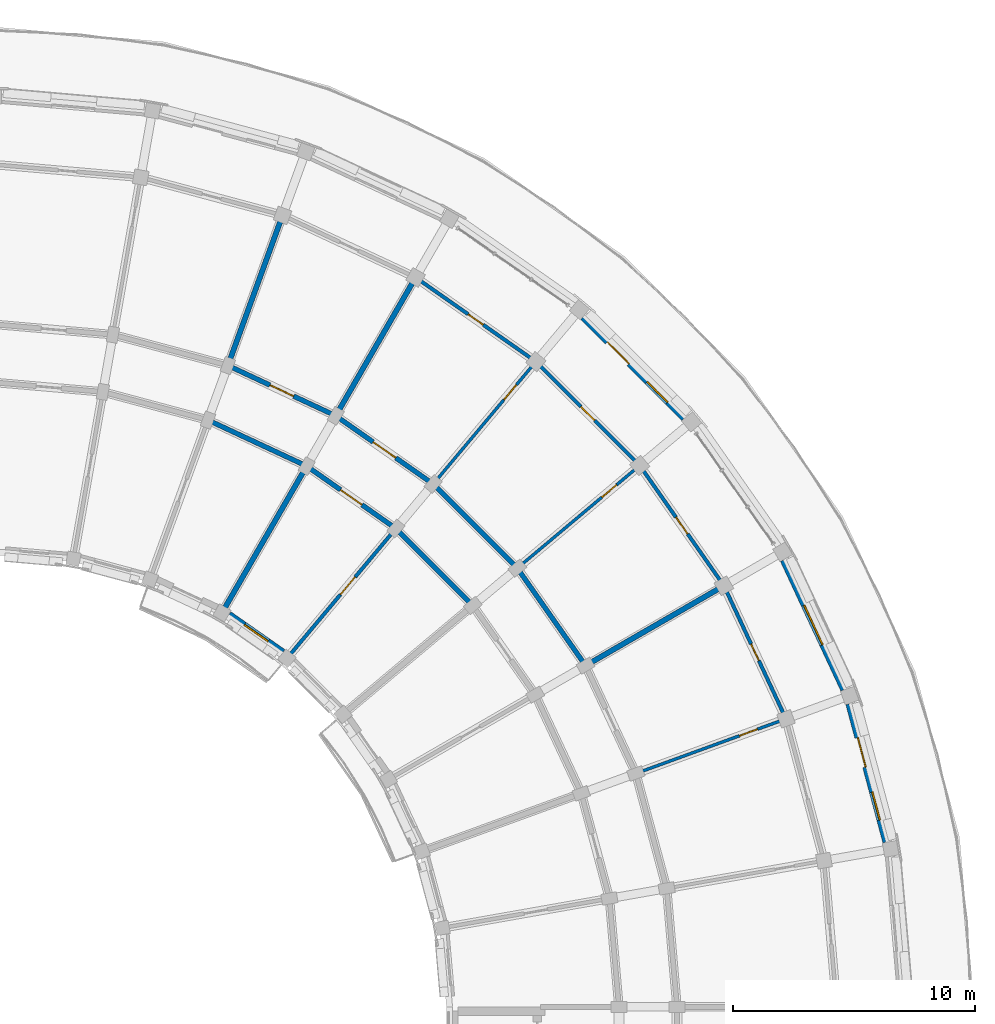
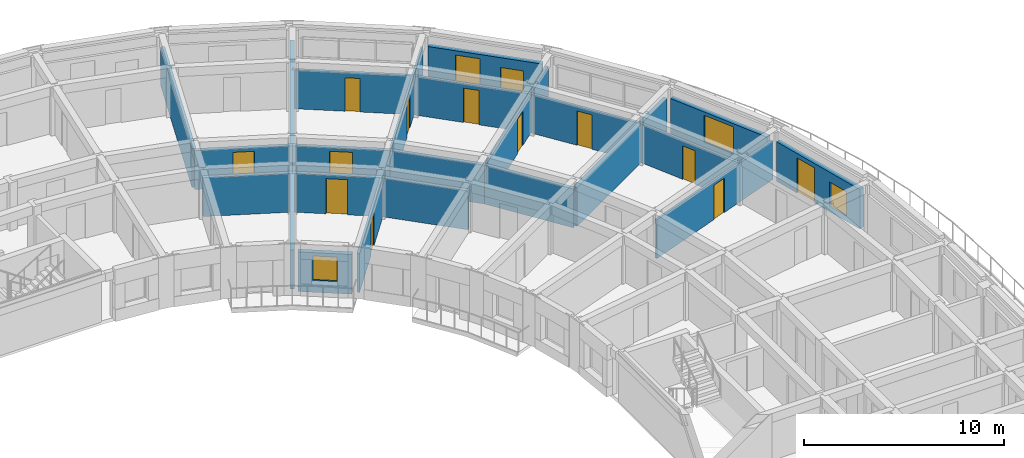
# One storey, part 23 of 36: 23 walls, 13 doors, 4 windows, 17 openings.
"""IFC4 building model written with IfcOpenShell, lengths in metres."""

from ifc_helpers import new_model, si_unit, direction, frame, frame_2d, origin, place, context, subcontext, project, spatial, rectangle, extrude, material, layer, layer_set, type_object, element, fill, save


model = new_model("IFC4")

# Units and contexts
model_context = context("Model", 3, precision=1e-05, world=origin(), true_north=direction((0.0, 1.0)))
body_context = subcontext(model_context, "Body", "Model", "MODEL_VIEW")
ifc_project = project(units=[si_unit("LENGTHUNIT", "METRE"), si_unit("AREAUNIT", "SQUARE_METRE"), si_unit("VOLUMEUNIT", "CUBIC_METRE"), si_unit("PLANEANGLEUNIT", "RADIAN"), si_unit("MASSUNIT", "GRAM", prefix="KILO")], contexts=[model_context])

# Site, building, storey
site_placement = place(None, origin())
site = spatial("IfcSite", under=ifc_project, at=site_placement, CompositionType="ELEMENT")
building_placement = place(site_placement, origin())
building = spatial("IfcBuilding", under=site, at=building_placement, Name="Kiranvali Square Residences", CompositionType="ELEMENT")
storey_placement = place(building_placement, frame((0.0, 0.0, 37.050048828125)))
storey = spatial("IfcBuildingStorey", under=building, at=storey_placement, Name="L11", CompositionType="ELEMENT", Elevation=37.050048828125)

# Wall
ifc_material_1 = material(Name="Autoclaved aerated concrete blockwork masonry", Category="masonry")
ifc_layer_1 = layer(ifc_material_1, 0.199951171875)
ifc_layer_set_1 = layer_set([ifc_layer_1], Name="Autoclaved aerated concrete blockwork masonry")
wall_type_1 = type_object("IfcWallType", Name="WL-COR-200", PredefinedType="STANDARD", material=ifc_layer_set_1)
wall_1_placement = place(storey_placement, frame((128.6240234375, 112.044189453125, 0.0), z_axis=(0.0, 0.0, 1.0), x_axis=(0.906307919131, -0.422617978463, 0.0)))
element("IfcWall", 1, at=wall_1_placement, inside=storey, type_object=wall_type_1, Name="L11 architectural wall WL-L11-B-CCI-2", PredefinedType="STANDARD", context=body_context, shape_type="SweptSolid", body=[
    extrude(rectangle(XDim=4.497314453125, YDim=0.199951171875, at=frame_2d((2.24853515625, 0.0))), origin(), (0.0, 0.0, 1.0), 2.3720703125),
])

# Wall, opening, door
wall_2_placement = place(storey_placement, frame((129.445068359375, 114.29931640625, 0.0), z_axis=(0.0, 0.0, 1.0), x_axis=(0.906302381024, -0.422629854778, 0.0)))
wall_2 = element("IfcWall", 2, at=wall_2_placement, inside=storey, type_object=wall_type_1, Name="L11 architectural wall WL-L11-B-CCO-2", PredefinedType="STANDARD", context=body_context, shape_type="SweptSolid", body=[
    extrude(rectangle(XDim=4.915283203125, YDim=0.199951171875, at=frame_2d((2.45751953125, 0.0))), origin(), (0.0, 0.0, 1.0), 2.3720703125),
])
opening_1_placement = place(wall_2_placement, frame((1.917724609375, 0.0, 0.0)))
opening_1 = element("IfcOpeningElement", 3, at=opening_1_placement, cuts=wall_2, Name="Opening FD-APT-60C", PredefinedType="OPENING", context=body_context, shape_type="SweptSolid", body=[
    extrude(rectangle(XDim=1.080078125, YDim=2.14990234375, at=frame_2d((0.5400390625, 1.074951171875))), frame((0.0, 0.10986328125, 0.0), z_axis=(0.0, -1.0, 0.0), x_axis=(1.0, 0.0, 0.0)), (0.0, 0.0, 1.0), 0.219970703125),
])
ifc_material_2 = material(Name="Fire-rated acoustic hardwood and mineral-core door assembly", Category="wood")
door_type_1 = type_object("IfcDoorType", Name="DR-APT-1080", OperationType="NOTDEFINED", PredefinedType="DOOR", material=ifc_material_2)
door_1_placement = place(opening_1_placement, frame((1.080078125, 0.0, 0.0), z_axis=(0.0, 0.0, 1.0), x_axis=(-1.0, 0.0, 0.0)))
door_1 = element("IfcDoor", 4, at=door_1_placement, inside=storey, type_object=door_type_1, Name="L11 door DR-L11-1670 (DR-APT-1080)", OperationType="SINGLE_SWING_RIGHT", OverallHeight=2.14990234375, OverallWidth=1.080078125, PredefinedType="DOOR", context=body_context, shape_type="SweptSolid", body=[
    extrude(rectangle(XDim=1.080078125, YDim=2.14990234375, at=frame_2d((0.5400390625, 1.074951171875))), frame((0.0, 0.02490234375, 0.0), z_axis=(0.0, -1.0, 0.0), x_axis=(1.0, 0.0, 0.0)), (0.0, 0.0, 1.0), 0.050048828125),
])
fill(opening_1, door_1)

wall_3_placement = place(storey_placement, frame((132.699951171875, 110.1435546875, 0.0), z_axis=(0.0, 0.0, 1.0), x_axis=(0.819155404658, -0.573571637217, 0.0)))
wall_3 = element("IfcWall", 5, at=wall_3_placement, inside=storey, type_object=wall_type_1, Name="L11 architectural wall WL-L11-B-CCI-3", PredefinedType="STANDARD", context=body_context, shape_type="SweptSolid", body=[
    extrude(rectangle(XDim=4.497314453125, YDim=0.199951171875, at=frame_2d((2.24853515625, 0.0))), origin(), (0.0, 0.0, 1.0), 2.3720703125),
])
opening_2_placement = place(wall_3_placement, frame((1.708740234375, 0.0, 0.0)))
opening_2 = element("IfcOpeningElement", 6, at=opening_2_placement, cuts=wall_3, Name="Opening FD-APT-60C", PredefinedType="OPENING", context=body_context, shape_type="SweptSolid", body=[
    extrude(rectangle(XDim=1.080078125, YDim=2.14990234375, at=frame_2d((0.5400390625, 1.074951171875))), frame((0.0, 0.10986328125, 0.0), z_axis=(0.0, -1.0, 0.0), x_axis=(1.0, 0.0, 0.0)), (0.0, 0.0, 1.0), 0.219970703125),
])
door_2_placement = place(opening_2_placement, origin())
door_2 = element("IfcDoor", 7, at=door_2_placement, inside=storey, type_object=door_type_1, Name="L11 door DR-L11-1681 (DR-APT-1080)", OperationType="SINGLE_SWING_LEFT", OverallHeight=2.14990234375, OverallWidth=1.080078125, PredefinedType="DOOR", context=body_context, shape_type="SweptSolid", body=[
    extrude(rectangle(XDim=1.080078125, YDim=2.14990234375, at=frame_2d((0.5400390625, 1.074951171875))), frame((0.0, 0.02490234375, 0.0), z_axis=(0.0, -1.0, 0.0), x_axis=(1.0, 0.0, 0.0)), (0.0, 0.0, 1.0), 0.050048828125),
])
fill(opening_2, door_2)

wall_4_placement = place(storey_placement, frame((133.89990234375, 112.221923828125, 0.0), z_axis=(0.0, 0.0, 1.0), x_axis=(0.819140911474, -0.573592335331, 0.0)))
wall_4 = element("IfcWall", 8, at=wall_4_placement, inside=storey, type_object=wall_type_1, Name="L11 architectural wall WL-L11-B-CCO-3", PredefinedType="STANDARD", context=body_context, shape_type="SweptSolid", body=[
    extrude(rectangle(XDim=4.915771484375, YDim=0.199951171875, at=frame_2d((2.4580078125, 0.0))), origin(), (0.0, 0.0, 1.0), 2.3720703125),
])
opening_3_placement = place(wall_4_placement, frame((1.8876953125, 0.0, 0.0)))
opening_3 = element("IfcOpeningElement", 9, at=opening_3_placement, cuts=wall_4, Name="Opening FD-APT-60D", PredefinedType="OPENING", context=body_context, shape_type="SweptSolid", body=[
    extrude(rectangle(XDim=1.139892578125, YDim=2.14990234375, at=frame_2d((0.56982421875, 1.074951171875))), frame((0.0, 0.10986328125, 0.0), z_axis=(0.0, -1.0, 0.0), x_axis=(1.0, 0.0, 0.0)), (0.0, 0.0, 1.0), 0.219970703125),
])
door_type_2 = type_object("IfcDoorType", Name="DR-APT-1140", OperationType="NOTDEFINED", PredefinedType="DOOR", material=ifc_material_2)
door_3_placement = place(opening_3_placement, frame((1.139892578125, 0.0, 0.0), z_axis=(0.0, 0.0, 1.0), x_axis=(-1.0, 0.0, 0.0)))
door_3 = element("IfcDoor", 10, at=door_3_placement, inside=storey, type_object=door_type_2, Name="L11 door DR-L11-1672 (DR-APT-1140)", OperationType="SINGLE_SWING_RIGHT", OverallHeight=2.14990234375, OverallWidth=1.139892578125, PredefinedType="DOOR", context=body_context, shape_type="SweptSolid", body=[
    extrude(rectangle(XDim=1.139892578125, YDim=2.14990234375, at=frame_2d((0.56982421875, 1.074951171875))), frame((0.0, 0.02490234375, 0.0), z_axis=(0.0, -1.0, 0.0), x_axis=(1.0, 0.0, 0.0)), (0.0, 0.0, 1.0), 0.050048828125),
])
fill(opening_3, door_3)

# Walls
wall_5_placement = place(storey_placement, frame((136.384033203125, 107.56396484375, 0.0), z_axis=(0.0, 0.0, 1.0), x_axis=(0.707106781187, -0.707106781187, 0.0)))
element("IfcWall", 11, at=wall_5_placement, inside=storey, type_object=wall_type_1, Name="L11 architectural wall WL-L11-B-CCI-4", PredefinedType="STANDARD", context=body_context, shape_type="SweptSolid", body=[
    extrude(rectangle(XDim=4.4970703125, YDim=0.199951171875, at=frame_2d((2.24853515625, 0.0))), origin(), (0.0, 0.0, 1.0), 2.3720703125),
])
wall_6_placement = place(storey_placement, frame((137.926513671875, 109.40234375, 0.0), z_axis=(0.0, 0.0, 1.0), x_axis=(0.707106781187, -0.707106781187, 0.0)))
element("IfcWall", 12, at=wall_6_placement, inside=storey, type_object=wall_type_1, Name="L11 architectural wall WL-L11-B-CCO-4", PredefinedType="STANDARD", context=body_context, shape_type="SweptSolid", body=[
    extrude(rectangle(XDim=4.91552734375, YDim=0.199951171875, at=frame_2d((2.457763671875, 0.0))), origin(), (0.0, 0.0, 1.0), 2.3720703125),
])
wall_7_placement = place(storey_placement, frame((141.40234375, 105.926513671875, 0.0), z_axis=(0.0, 0.0, 1.0), x_axis=(0.573592335331, -0.819140911474, 0.0)))
element("IfcWall", 13, at=wall_7_placement, inside=storey, type_object=wall_type_1, Name="L11 architectural wall WL-L11-B-CCO-5", PredefinedType="STANDARD", context=body_context, shape_type="SweptSolid", body=[
    extrude(rectangle(XDim=4.915771484375, YDim=0.199951171875, at=frame_2d((2.4580078125, 0.0))), origin(), (0.0, 0.0, 1.0), 2.3720703125),
])
ifc_layer_2 = layer(ifc_material_1, 0.219970703125)
ifc_layer_set_2 = layer_set([ifc_layer_2], Name="Autoclaved aerated concrete blockwork masonry")
wall_type_2 = type_object("IfcWallType", Name="WL-DEM-220", PredefinedType="STANDARD", material=ifc_layer_set_2)
wall_8_placement = place(storey_placement, frame((129.479248046875, 114.393310546875, 0.0), z_axis=(0.0, 0.0, 1.0), x_axis=(0.342012528828, 0.939695392201, 0.0)))
element("IfcWall", 14, at=wall_8_placement, inside=storey, type_object=wall_type_2, Name="L11 architectural wall WL-L11-B-RADO-2", PredefinedType="STANDARD", context=body_context, shape_type="SweptSolid", body=[
    extrude(rectangle(XDim=9.02001953125, YDim=0.219970703125, at=frame_2d((4.510009765625, 0.0))), origin(), (0.0, 0.0, 1.0), 2.3720703125),
])
wall_9_placement = place(storey_placement, frame((129.300048828125, 104.25439453125, 0.0), z_axis=(0.0, 0.0, 1.0), x_axis=(0.499997969693, 0.866026575979, 0.0)))
element("IfcWall", 15, at=wall_9_placement, inside=storey, type_object=wall_type_2, Name="L11 architectural wall WL-L11-B-RADI-3", PredefinedType="STANDARD", context=body_context, shape_type="SweptSolid", body=[
    extrude(rectangle(XDim=6.75, YDim=0.219970703125, at=frame_2d((3.375, 0.0))), origin(), (0.0, 0.0, 1.0), 2.3720703125),
])
for number, where, z_axis, x_axis, name in (
    (16, (133.949951171875, 112.30859375, 0.0), (0.0, 0.0, 1.0), (0.500002045973, 0.866024222538, 0.0), "L11 architectural wall WL-L11-B-RADO-3"),
    (17, (144.30859375, 101.949951171875, 0.0), (0.0, 0.0, 1.0), (0.866024222538, 0.500002045973, 0.0), "L11 architectural wall WL-L11-B-RADO-6"),
):
    element("IfcWall", number, at=place(storey_placement, frame(where, z_axis=z_axis, x_axis=x_axis)), inside=storey, type_object=wall_type_2, Name=name, PredefinedType="STANDARD", context=body_context, shape_type="SweptSolid", body=[
        extrude(rectangle(XDim=9.02001953125, YDim=0.219970703125, at=frame_2d((4.510009765625, 0.0))), origin(), (0.0, 0.0, 1.0), 2.3720703125),
    ])

# Wall, openings, door, window
ifc_material_3 = material(Name="Breathable lime-rendered clay brick masonry", Category="masonry")
ifc_layer_3 = layer(ifc_material_3, 0.25)
ifc_layer_set_3 = layer_set([ifc_layer_3], Name="Breathable lime-rendered clay brick masonry")
wall_type_3 = type_object("IfcWallType", Name="WL-EXT-250", PredefinedType="STANDARD", material=ifc_layer_set_3)
wall_10_placement = place(storey_placement, frame((144.110595703125, 116.28466796875, 0.0), z_axis=(0.0, 0.0, 1.0), x_axis=(0.707106781187, -0.707106781187, 0.0)))
wall_10 = element("IfcWall", 18, at=wall_10_placement, inside=storey, type_object=wall_type_3, Name="L11 exterior wall B-L11-CRV-04", PredefinedType="STANDARD", context=body_context, shape_type="SweptSolid", body=[
    extrude(rectangle(XDim=5.903076171875, YDim=0.25, at=frame_2d((2.95166015625, 0.0))), origin(), (0.0, 0.0, 1.0), 2.411865234375),
])
opening_4_placement = place(wall_10_placement, frame((3.75634765625, 0.0, 0.31201171875)))
opening_4 = element("IfcOpeningElement", 19, at=opening_4_placement, cuts=wall_10, Name="Opening W-06", PredefinedType="OPENING", context=body_context, shape_type="SweptSolid", body=[
    extrude(rectangle(XDim=1.199951171875, YDim=1.5, at=frame_2d((0.60009765625, 0.75))), frame((0.0, 0.135009765625, 0.0), z_axis=(0.0, -1.0, 0.0), x_axis=(1.0, 0.0, 0.0)), (0.0, 0.0, 1.0), 0.27001953125),
])
opening_5_placement = place(wall_10_placement, frame((1.43603515625, 0.0, 0.0)))
opening_5 = element("IfcOpeningElement", 20, at=opening_5_placement, cuts=wall_10, Name="Opening ED-BAL-2", PredefinedType="OPENING", context=body_context, shape_type="SweptSolid", body=[
    extrude(rectangle(XDim=1.260009765625, YDim=2.14990234375, at=frame_2d((0.6298828125, 1.074951171875))), frame((0.0, 0.135009765625, 0.0), z_axis=(0.0, -1.0, 0.0), x_axis=(1.0, 0.0, 0.0)), (0.0, 0.0, 1.0), 0.27001953125),
])
ifc_material_4 = material(Name="Anodised bronze aluminium framing", Category="aluminium")
door_type_3 = type_object("IfcDoorType", Name="DR-BAL-1260", OperationType="NOTDEFINED", PredefinedType="DOOR", material=ifc_material_4)
door_4_placement = place(opening_5_placement, origin())
door_4 = element("IfcDoor", 21, at=door_4_placement, inside=storey, type_object=door_type_3, Name="L11 balcony terrace door", OperationType="SINGLE_SWING_RIGHT", OverallHeight=2.14990234375, OverallWidth=1.260009765625, PredefinedType="DOOR", context=body_context, shape_type="SweptSolid", body=[
    extrude(rectangle(XDim=1.260009765625, YDim=2.14990234375, at=frame_2d((0.6298828125, 1.074951171875))), frame((0.0, 0.02490234375, 0.0), z_axis=(0.0, -1.0, 0.0), x_axis=(1.0, 0.0, 0.0)), (0.0, 0.0, 1.0), 0.050048828125),
])
fill(opening_5, door_4)
ifc_material_5 = material(Name="Solar-control low-e double glazing", Category="glass")
window_type_1 = type_object("IfcWindowType", Name="WIN-RES-1200x1500", PartitioningType="SINGLE_PANEL", PredefinedType="WINDOW", material=ifc_material_5)
window_1_placement = place(opening_4_placement, origin())
window_1 = element("IfcWindow", 22, at=window_1_placement, inside=storey, type_object=window_type_1, Name="L11 recessed window B-L11-CRV-04", OverallHeight=1.5, OverallWidth=1.199951171875, PartitioningType="SINGLE_PANEL", PredefinedType="WINDOW", context=body_context, shape_type="SweptSolid", body=[
    extrude(rectangle(XDim=1.199951171875, YDim=1.5, at=frame_2d((0.60009765625, 0.75))), frame((0.0, 0.030029296875, 0.0), z_axis=(0.0, -1.0, 0.0), x_axis=(1.0, 0.0, 0.0)), (0.0, 0.0, 1.0), 0.06005859375),
])
fill(opening_4, window_1)

# Wall, opening, window
wall_11_placement = place(storey_placement, frame((152.386962890625, 106.251953125, 0.0), z_axis=(0.0, 0.0, 1.0), x_axis=(0.422627318927, -0.906303563546, 0.0)))
wall_11 = element("IfcWall", 23, at=wall_11_placement, inside=storey, type_object=wall_type_3, Name="L11 exterior wall B-L11-CRV-06", PredefinedType="STANDARD", context=body_context, shape_type="SweptSolid", body=[
    extrude(rectangle(XDim=5.902587890625, YDim=0.25, at=frame_2d((2.951171875, 0.0))), origin(), (0.0, 0.0, 1.0), 2.411865234375),
])
opening_6_placement = place(wall_11_placement, frame((2.051513671875, 0.0, 0.56201171875)))
opening_6 = element("IfcOpeningElement", 24, at=opening_6_placement, cuts=wall_11, Name="Opening W-04", PredefinedType="OPENING", context=body_context, shape_type="SweptSolid", body=[
    extrude(rectangle(XDim=1.800048828125, YDim=1.64990234375, at=frame_2d((0.89990234375, 0.824951171875))), frame((0.0, 0.135009765625, 0.0), z_axis=(0.0, -1.0, 0.0), x_axis=(1.0, 0.0, 0.0)), (0.0, 0.0, 1.0), 0.27001953125),
])
window_type_2 = type_object("IfcWindowType", Name="WIN-RES-1800x1650", PartitioningType="DOUBLE_PANEL_VERTICAL", PredefinedType="WINDOW", material=ifc_material_5)
window_2_placement = place(opening_6_placement, origin())
window_2 = element("IfcWindow", 25, at=window_2_placement, inside=storey, type_object=window_type_2, Name="L11 recessed window B-L11-CRV-06", OverallHeight=1.64990234375, OverallWidth=1.800048828125, PartitioningType="DOUBLE_PANEL_VERTICAL", PredefinedType="WINDOW", context=body_context, shape_type="SweptSolid", body=[
    extrude(rectangle(XDim=1.800048828125, YDim=1.64990234375, at=frame_2d((0.89990234375, 0.824951171875))), frame((0.0, 0.030029296875, 0.0), z_axis=(0.0, -1.0, 0.0), x_axis=(1.0, 0.0, 0.0)), (0.0, 0.0, 1.0), 0.06005859375),
])
fill(opening_6, window_2)

# Wall, openings, door, window
wall_12_placement = place(storey_placement, frame((155.095947265625, 100.31298828125, 0.0), z_axis=(0.0, 0.0, 1.0), x_axis=(0.258831183778, -0.965922573659, 0.0)))
wall_12 = element("IfcWall", 26, at=wall_12_placement, inside=storey, type_object=wall_type_3, Name="L11 exterior wall B-L11-CRV-07", PredefinedType="STANDARD", context=body_context, shape_type="SweptSolid", body=[
    extrude(rectangle(XDim=5.90283203125, YDim=0.25, at=frame_2d((2.951416015625, 0.0))), origin(), (0.0, 0.0, 1.0), 2.411865234375),
])
opening_7_placement = place(wall_12_placement, frame((3.75634765625, 0.0, 0.31201171875)))
opening_7 = element("IfcOpeningElement", 27, at=opening_7_placement, cuts=wall_12, Name="Opening W-06", PredefinedType="OPENING", context=body_context, shape_type="SweptSolid", body=[
    extrude(rectangle(XDim=1.199951171875, YDim=1.5, at=frame_2d((0.60009765625, 0.75))), frame((0.0, 0.135009765625, 0.0), z_axis=(0.0, -1.0, 0.0), x_axis=(1.0, 0.0, 0.0)), (0.0, 0.0, 1.0), 0.27001953125),
])
opening_8_placement = place(wall_12_placement, frame((1.43603515625, 0.0, 0.0)))
opening_8 = element("IfcOpeningElement", 28, at=opening_8_placement, cuts=wall_12, Name="Opening ED-BAL-2", PredefinedType="OPENING", context=body_context, shape_type="SweptSolid", body=[
    extrude(rectangle(XDim=1.260009765625, YDim=2.14990234375, at=frame_2d((0.6298828125, 1.074951171875))), frame((0.0, 0.135009765625, 0.0), z_axis=(0.0, -1.0, 0.0), x_axis=(1.0, 0.0, 0.0)), (0.0, 0.0, 1.0), 0.27001953125),
])
door_5_placement = place(opening_8_placement, origin())
door_5 = element("IfcDoor", 29, at=door_5_placement, inside=storey, type_object=door_type_3, Name="L11 balcony terrace door", OperationType="SINGLE_SWING_LEFT", OverallHeight=2.14990234375, OverallWidth=1.260009765625, PredefinedType="DOOR", context=body_context, shape_type="SweptSolid", body=[
    extrude(rectangle(XDim=1.260009765625, YDim=2.14990234375, at=frame_2d((0.6298828125, 1.074951171875))), frame((0.0, 0.02490234375, 0.0), z_axis=(0.0, -1.0, 0.0), x_axis=(1.0, 0.0, 0.0)), (0.0, 0.0, 1.0), 0.050048828125),
])
fill(opening_8, door_5)
window_3_placement = place(opening_7_placement, origin())
window_3 = element("IfcWindow", 30, at=window_3_placement, inside=storey, type_object=window_type_1, Name="L11 recessed window B-L11-CRV-07", OverallHeight=1.5, OverallWidth=1.199951171875, PartitioningType="SINGLE_PANEL", PredefinedType="WINDOW", context=body_context, shape_type="SweptSolid", body=[
    extrude(rectangle(XDim=1.199951171875, YDim=1.5, at=frame_2d((0.60009765625, 0.75))), frame((0.0, 0.030029296875, 0.0), z_axis=(0.0, -1.0, 0.0), x_axis=(1.0, 0.0, 0.0)), (0.0, 0.0, 1.0), 0.06005859375),
])
fill(opening_7, window_3)

# Wall, opening, window
wall_13_placement = place(storey_placement, frame((129.5, 104.02392578125, 0.0), z_axis=(0.0, 0.0, 1.0), x_axis=(0.819126475299, -0.573612950921, 0.0)))
wall_13 = element("IfcWall", 31, at=wall_13_placement, inside=storey, type_object=wall_type_3, Name="L11 exterior wall B-L11-GDN-03", PredefinedType="STANDARD", context=body_context, shape_type="SweptSolid", body=[
    extrude(rectangle(XDim=2.7197265625, YDim=0.25, at=frame_2d((1.35986328125, 0.0))), origin(), (0.0, 0.0, 1.0), 2.421875),
])
opening_9_placement = place(wall_13_placement, frame((0.759765625, 0.0, 0.721923828125)))
opening_9 = element("IfcOpeningElement", 32, at=opening_9_placement, cuts=wall_13, Name="Opening W-06", PredefinedType="OPENING", context=body_context, shape_type="SweptSolid", body=[
    extrude(rectangle(XDim=1.199951171875, YDim=1.5, at=frame_2d((0.60009765625, 0.75))), frame((0.0, 0.135009765625, 0.0), z_axis=(0.0, -1.0, 0.0), x_axis=(1.0, 0.0, 0.0)), (0.0, 0.0, 1.0), 0.27001953125),
])
window_4_placement = place(opening_9_placement, origin())
window_4 = element("IfcWindow", 33, at=window_4_placement, inside=storey, type_object=window_type_1, Name="L11 recessed window B-L11-GDN-03", OverallHeight=1.5, OverallWidth=1.199951171875, PartitioningType="SINGLE_PANEL", PredefinedType="WINDOW", context=body_context, shape_type="SweptSolid", body=[
    extrude(rectangle(XDim=1.199951171875, YDim=1.5, at=frame_2d((0.60009765625, 0.75))), frame((0.0, 0.030029296875, 0.0), z_axis=(0.0, -1.0, 0.0), x_axis=(1.0, 0.0, 0.0)), (0.0, 0.0, 1.0), 0.06005859375),
])
fill(opening_9, window_4)

# Wall, opening, door
ifc_material_6 = material(Name="Acoustic gypsum board drylined partition", Category="gypsum")
ifc_layer_4 = layer(ifc_material_6, 0.125)
ifc_layer_set_4 = layer_set([ifc_layer_4], Name="Acoustic gypsum board drylined partition")
wall_type_4 = type_object("IfcWallType", Name="WL-PRT-125", PredefinedType="PARTITIONING", material=ifc_layer_set_4)
wall_14_placement = place(storey_placement, frame((137.990966796875, 109.47900390625, 0.0), z_axis=(0.0, 0.0, 1.0), x_axis=(0.642784468535, 0.766047078847, 0.0)))
wall_14 = element("IfcWall", 34, at=wall_14_placement, inside=storey, type_object=wall_type_4, Name="L11 architectural wall WL-L11-B-RADO-4", PredefinedType="PARTITIONING", context=body_context, shape_type="SweptSolid", body=[
    extrude(rectangle(XDim=9.02001953125, YDim=0.125, at=frame_2d((4.510009765625, 0.0))), origin(), (0.0, 0.0, 1.0), 2.3720703125),
])
opening_10_placement = place(wall_14_placement, frame((4.449951171875, 0.0, 0.0)))
opening_10 = element("IfcOpeningElement", 35, at=opening_10_placement, cuts=wall_14, Name="Opening ID-WET", PredefinedType="OPENING", context=body_context, shape_type="SweptSolid", body=[
    extrude(rectangle(XDim=0.800048828125, YDim=2.10009765625, at=frame_2d((0.39990234375, 1.050048828125))), frame((0.0, 0.072509765625, 0.0), z_axis=(0.0, -1.0, 0.0), x_axis=(1.0, 0.0, 0.0)), (0.0, 0.0, 1.0), 0.14501953125),
])
ifc_material_7 = material(Name="Solid seasoned teak hardwood joinery", Category="wood")
door_type_4 = type_object("IfcDoorType", Name="DR-WET-800", OperationType="NOTDEFINED", PredefinedType="DOOR", material=ifc_material_7)
door_6_placement = place(opening_10_placement, origin())
door_6 = element("IfcDoor", 36, at=door_6_placement, inside=storey, type_object=door_type_4, Name="L11 door DR-L11-1661 (DR-WET-800)", OperationType="SINGLE_SWING_LEFT", OverallHeight=2.10009765625, OverallWidth=0.800048828125, PredefinedType="DOOR", context=body_context, shape_type="SweptSolid", body=[
    extrude(rectangle(XDim=0.800048828125, YDim=2.10009765625, at=frame_2d((0.39990234375, 1.050048828125))), frame((0.0, 0.02490234375, 0.0), z_axis=(0.0, -1.0, 0.0), x_axis=(1.0, 0.0, 0.0)), (0.0, 0.0, 1.0), 0.050048828125),
])
fill(opening_10, door_6)

wall_15_placement = place(storey_placement, frame((141.47900390625, 105.990966796875, 0.0), z_axis=(0.0, 0.0, 1.0), x_axis=(0.766047078847, 0.642784468535, 0.0)))
wall_15 = element("IfcWall", 37, at=wall_15_placement, inside=storey, type_object=wall_type_4, Name="L11 architectural wall WL-L11-B-RADO-5", PredefinedType="PARTITIONING", context=body_context, shape_type="SweptSolid", body=[
    extrude(rectangle(XDim=9.02001953125, YDim=0.125, at=frame_2d((4.510009765625, 0.0))), origin(), (0.0, 0.0, 1.0), 2.3720703125),
])
opening_11_placement = place(wall_15_placement, frame((4.449951171875, 0.0, 0.0)))
opening_11 = element("IfcOpeningElement", 38, at=opening_11_placement, cuts=wall_15, Name="Opening ID-WET", PredefinedType="OPENING", context=body_context, shape_type="SweptSolid", body=[
    extrude(rectangle(XDim=0.800048828125, YDim=2.10009765625, at=frame_2d((0.39990234375, 1.050048828125))), frame((0.0, 0.072509765625, 0.0), z_axis=(0.0, -1.0, 0.0), x_axis=(1.0, 0.0, 0.0)), (0.0, 0.0, 1.0), 0.14501953125),
])
door_7_placement = place(opening_11_placement, frame((0.800048828125, 0.0, 0.0), z_axis=(0.0, 0.0, 1.0), x_axis=(-1.0, 0.0, 0.0)))
door_7 = element("IfcDoor", 39, at=door_7_placement, inside=storey, type_object=door_type_4, Name="L11 door DR-L11-1662 (DR-WET-800)", OperationType="SINGLE_SWING_RIGHT", OverallHeight=2.10009765625, OverallWidth=0.800048828125, PredefinedType="DOOR", context=body_context, shape_type="SweptSolid", body=[
    extrude(rectangle(XDim=0.800048828125, YDim=2.10009765625, at=frame_2d((0.39990234375, 1.050048828125))), frame((0.0, 0.02490234375, 0.0), z_axis=(0.0, -1.0, 0.0), x_axis=(1.0, 0.0, 0.0)), (0.0, 0.0, 1.0), 0.050048828125),
])
fill(opening_11, door_7)

wall_16_placement = place(storey_placement, frame((146.393310546875, 97.479248046875, 0.0), z_axis=(0.0, 0.0, 1.0), x_axis=(0.939695392201, 0.342012528828, 0.0)))
wall_16 = element("IfcWall", 40, at=wall_16_placement, inside=storey, type_object=wall_type_4, Name="L11 architectural wall WL-L11-B-RADO-7", PredefinedType="PARTITIONING", context=body_context, shape_type="SweptSolid", body=[
    extrude(rectangle(XDim=9.02001953125, YDim=0.125, at=frame_2d((4.510009765625, 0.0))), origin(), (0.0, 0.0, 1.0), 2.3720703125),
])
opening_12_placement = place(wall_16_placement, frame((4.449951171875, 0.0, 0.0)))
opening_12 = element("IfcOpeningElement", 41, at=opening_12_placement, cuts=wall_16, Name="Opening ID-WET", PredefinedType="OPENING", context=body_context, shape_type="SweptSolid", body=[
    extrude(rectangle(XDim=0.800048828125, YDim=2.10009765625, at=frame_2d((0.39990234375, 1.050048828125))), frame((0.0, 0.072509765625, 0.0), z_axis=(0.0, -1.0, 0.0), x_axis=(1.0, 0.0, 0.0)), (0.0, 0.0, 1.0), 0.14501953125),
])
door_8_placement = place(opening_12_placement, frame((0.800048828125, 0.0, 0.0), z_axis=(0.0, 0.0, 1.0), x_axis=(-1.0, 0.0, 0.0)))
door_8 = element("IfcDoor", 42, at=door_8_placement, inside=storey, type_object=door_type_4, Name="L11 door DR-L11-1664 (DR-WET-800)", OperationType="SINGLE_SWING_RIGHT", OverallHeight=2.10009765625, OverallWidth=0.800048828125, PredefinedType="DOOR", context=body_context, shape_type="SweptSolid", body=[
    extrude(rectangle(XDim=0.800048828125, YDim=2.10009765625, at=frame_2d((0.39990234375, 1.050048828125))), frame((0.0, 0.02490234375, 0.0), z_axis=(0.0, -1.0, 0.0), x_axis=(1.0, 0.0, 0.0)), (0.0, 0.0, 1.0), 0.050048828125),
])
fill(opening_12, door_8)

ifc_layer_5 = layer(ifc_material_6, 0.14990234375)
ifc_layer_set_5 = layer_set([ifc_layer_5], Name="Acoustic gypsum board drylined partition")
wall_type_5 = type_object("IfcWallType", Name="WL-PRT-150", PredefinedType="PARTITIONING", material=ifc_layer_set_5)
wall_17_placement = place(storey_placement, frame((132.012939453125, 102.354736328125, 0.0), z_axis=(0.0, 0.0, 1.0), x_axis=(0.642784846501, 0.766046761698, 0.0)))
wall_17 = element("IfcWall", 43, at=wall_17_placement, inside=storey, type_object=wall_type_5, Name="L11 architectural wall WL-L11-B-RADI-4", PredefinedType="PARTITIONING", context=body_context, shape_type="SweptSolid", body=[
    extrude(rectangle(XDim=6.75, YDim=0.14990234375, at=frame_2d((3.375, 0.0))), origin(), (0.0, 0.0, 1.0), 2.3720703125),
])
opening_13_placement = place(wall_17_placement, frame((3.242431640625, 0.0, 0.0)))
opening_13 = element("IfcOpeningElement", 44, at=opening_13_placement, cuts=wall_17, Name="Opening ID-2", PredefinedType="OPENING", context=body_context, shape_type="SweptSolid", body=[
    extrude(rectangle(XDim=0.93994140625, YDim=2.10009765625, at=frame_2d((0.469970703125, 1.050048828125))), frame((0.0, 0.0849609375, 0.0), z_axis=(0.0, -1.0, 0.0), x_axis=(1.0, 0.0, 0.0)), (0.0, 0.0, 1.0), 0.169921875),
])
door_type_5 = type_object("IfcDoorType", Name="DR-INT-940", OperationType="NOTDEFINED", PredefinedType="DOOR", material=ifc_material_7)
door_9_placement = place(opening_13_placement, frame((0.93994140625, 0.0, 0.0), z_axis=(0.0, 0.0, 1.0), x_axis=(-1.0, 0.0, 0.0)))
door_9 = element("IfcDoor", 45, at=door_9_placement, inside=storey, type_object=door_type_5, Name="L11 door DR-L11-1660 (DR-INT-940)", OperationType="SINGLE_SWING_RIGHT", OverallHeight=2.10009765625, OverallWidth=0.93994140625, PredefinedType="DOOR", context=body_context, shape_type="SweptSolid", body=[
    extrude(rectangle(XDim=0.93994140625, YDim=2.10009765625, at=frame_2d((0.469970703125, 1.050048828125))), frame((0.0, 0.02490234375, 0.0), z_axis=(0.0, -1.0, 0.0), x_axis=(1.0, 0.0, 0.0)), (0.0, 0.0, 1.0), 0.050048828125),
])
fill(opening_13, door_9)

ifc_layer_6 = layer(ifc_material_1, 0.14990234375)
ifc_layer_set_6 = layer_set([ifc_layer_6], Name="Autoclaved aerated concrete blockwork masonry")
wall_type_6 = type_object("IfcWallType", Name="WL-WET-150", PredefinedType="PLUMBINGWALL", material=ifc_layer_set_6)
wall_18_placement = place(storey_placement, frame((137.199951171875, 117.937744140625, 0.0), z_axis=(0.0, 0.0, 1.0), x_axis=(0.81913926159, -0.573594691504, 0.0)))
wall_18 = element("IfcWall", 46, at=wall_18_placement, inside=storey, type_object=wall_type_6, Name="L11 architectural wall WL-L11-B-CWET-3", PredefinedType="PLUMBINGWALL", context=body_context, shape_type="SweptSolid", body=[
    extrude(rectangle(XDim=6.066162109375, YDim=0.14990234375, at=frame_2d((3.033203125, 0.0))), origin(), (0.0, 0.0, 1.0), 2.3720703125),
])
opening_14_placement = place(wall_18_placement, frame((2.653076171875, 0.0, 0.0)))
opening_14 = element("IfcOpeningElement", 47, at=opening_14_placement, cuts=wall_18, Name="Opening ID-WET0", PredefinedType="OPENING", context=body_context, shape_type="SweptSolid", body=[
    extrude(rectangle(XDim=0.760009765625, YDim=2.050048828125, at=frame_2d((0.3798828125, 1.02490234375))), frame((0.0, 0.0849609375, 0.0), z_axis=(0.0, -1.0, 0.0), x_axis=(1.0, 0.0, 0.0)), (0.0, 0.0, 1.0), 0.169921875),
])
door_type_6 = type_object("IfcDoorType", Name="DR-WET-760", OperationType="NOTDEFINED", PredefinedType="DOOR", material=ifc_material_7)
door_10_placement = place(opening_14_placement, origin())
door_10 = element("IfcDoor", 48, at=door_10_placement, inside=storey, type_object=door_type_6, Name="L11 door DR-L11-1673 (DR-WET-760)", OperationType="SINGLE_SWING_LEFT", OverallHeight=2.050048828125, OverallWidth=0.760009765625, PredefinedType="DOOR", context=body_context, shape_type="SweptSolid", body=[
    extrude(rectangle(XDim=0.760009765625, YDim=2.050048828125, at=frame_2d((0.3798828125, 1.02490234375))), frame((0.0, 0.02490234375, 0.0), z_axis=(0.0, -1.0, 0.0), x_axis=(1.0, 0.0, 0.0)), (0.0, 0.0, 1.0), 0.050048828125),
])
fill(opening_14, door_10)

wall_19_placement = place(storey_placement, frame((142.1689453125, 114.458251953125, 0.0), z_axis=(0.0, 0.0, 1.0), x_axis=(0.707106781187, -0.707106781187, 0.0)))
wall_19 = element("IfcWall", 49, at=wall_19_placement, inside=storey, type_object=wall_type_6, Name="L11 architectural wall WL-L11-B-CWET-4", PredefinedType="PLUMBINGWALL", context=body_context, shape_type="SweptSolid", body=[
    extrude(rectangle(XDim=6.06591796875, YDim=0.14990234375, at=frame_2d((3.032958984375, 0.0))), origin(), (0.0, 0.0, 1.0), 2.3720703125),
])
opening_15_placement = place(wall_19_placement, frame((2.633056640625, 0.0, 0.0)))
opening_15 = element("IfcOpeningElement", 50, at=opening_15_placement, cuts=wall_19, Name="Opening ID-WET", PredefinedType="OPENING", context=body_context, shape_type="SweptSolid", body=[
    extrude(rectangle(XDim=0.800048828125, YDim=2.10009765625, at=frame_2d((0.39990234375, 1.050048828125))), frame((0.0, 0.0849609375, 0.0), z_axis=(0.0, -1.0, 0.0), x_axis=(1.0, 0.0, 0.0)), (0.0, 0.0, 1.0), 0.169921875),
])
door_11_placement = place(opening_15_placement, frame((0.800048828125, 0.0, 0.0), z_axis=(0.0, 0.0, 1.0), x_axis=(-1.0, 0.0, 0.0)))
door_11 = element("IfcDoor", 51, at=door_11_placement, inside=storey, type_object=door_type_4, Name="L11 door DR-L11-1674 (DR-WET-800)", OperationType="SINGLE_SWING_RIGHT", OverallHeight=2.10009765625, OverallWidth=0.800048828125, PredefinedType="DOOR", context=body_context, shape_type="SweptSolid", body=[
    extrude(rectangle(XDim=0.800048828125, YDim=2.10009765625, at=frame_2d((0.39990234375, 1.050048828125))), frame((0.0, 0.02490234375, 0.0), z_axis=(0.0, -1.0, 0.0), x_axis=(1.0, 0.0, 0.0)), (0.0, 0.0, 1.0), 0.050048828125),
])
fill(opening_15, door_11)

wall_20_placement = place(storey_placement, frame((146.458251953125, 110.1689453125, 0.0), z_axis=(0.0, 0.0, 1.0), x_axis=(0.573594691504, -0.81913926159, 0.0)))
wall_20 = element("IfcWall", 52, at=wall_20_placement, inside=storey, type_object=wall_type_6, Name="L11 architectural wall WL-L11-B-CWET-5", PredefinedType="PLUMBINGWALL", context=body_context, shape_type="SweptSolid", body=[
    extrude(rectangle(XDim=6.066162109375, YDim=0.14990234375, at=frame_2d((3.033203125, 0.0))), origin(), (0.0, 0.0, 1.0), 2.3720703125),
])
opening_16_placement = place(wall_20_placement, frame((2.613037109375, 0.0, 0.0)))
opening_16 = element("IfcOpeningElement", 53, at=opening_16_placement, cuts=wall_20, Name="Opening ID-WET2", PredefinedType="OPENING", context=body_context, shape_type="SweptSolid", body=[
    extrude(rectangle(XDim=0.840087890625, YDim=2.10009765625, at=frame_2d((0.419921875, 1.050048828125))), frame((0.0, 0.0849609375, 0.0), z_axis=(0.0, -1.0, 0.0), x_axis=(1.0, 0.0, 0.0)), (0.0, 0.0, 1.0), 0.169921875),
])
door_type_7 = type_object("IfcDoorType", Name="DR-WET-840", OperationType="NOTDEFINED", PredefinedType="DOOR", material=ifc_material_7)
door_12_placement = place(opening_16_placement, origin())
door_12 = element("IfcDoor", 54, at=door_12_placement, inside=storey, type_object=door_type_7, Name="L11 door DR-L11-1675 (DR-WET-840)", OperationType="SINGLE_SWING_LEFT", OverallHeight=2.10009765625, OverallWidth=0.840087890625, PredefinedType="DOOR", context=body_context, shape_type="SweptSolid", body=[
    extrude(rectangle(XDim=0.840087890625, YDim=2.10009765625, at=frame_2d((0.419921875, 1.050048828125))), frame((0.0, 0.02490234375, 0.0), z_axis=(0.0, -1.0, 0.0), x_axis=(1.0, 0.0, 0.0)), (0.0, 0.0, 1.0), 0.050048828125),
])
fill(opening_16, door_12)

wall_21_placement = place(storey_placement, frame((149.937744140625, 105.199951171875, 0.0), z_axis=(0.0, 0.0, 1.0), x_axis=(0.42260781991, -0.906312656069, 0.0)))
wall_21 = element("IfcWall", 55, at=wall_21_placement, inside=storey, type_object=wall_type_6, Name="L11 architectural wall WL-L11-B-CWET-6", PredefinedType="PLUMBINGWALL", context=body_context, shape_type="SweptSolid", body=[
    extrude(rectangle(XDim=6.06591796875, YDim=0.14990234375, at=frame_2d((3.032958984375, 0.0))), origin(), (0.0, 0.0, 1.0), 2.3720703125),
])
opening_17_placement = place(wall_21_placement, frame((2.653076171875, 0.0, 0.0)))
opening_17 = element("IfcOpeningElement", 56, at=opening_17_placement, cuts=wall_21, Name="Opening ID-WET0", PredefinedType="OPENING", context=body_context, shape_type="SweptSolid", body=[
    extrude(rectangle(XDim=0.760009765625, YDim=2.050048828125, at=frame_2d((0.3798828125, 1.02490234375))), frame((0.0, 0.0849609375, 0.0), z_axis=(0.0, -1.0, 0.0), x_axis=(1.0, 0.0, 0.0)), (0.0, 0.0, 1.0), 0.169921875),
])
door_13_placement = place(opening_17_placement, origin())
door_13 = element("IfcDoor", 57, at=door_13_placement, inside=storey, type_object=door_type_6, Name="L11 door DR-L11-1677 (DR-WET-760)", OperationType="SINGLE_SWING_LEFT", OverallHeight=2.050048828125, OverallWidth=0.760009765625, PredefinedType="DOOR", context=body_context, shape_type="SweptSolid", body=[
    extrude(rectangle(XDim=0.760009765625, YDim=2.050048828125, at=frame_2d((0.3798828125, 1.02490234375))), frame((0.0, 0.02490234375, 0.0), z_axis=(0.0, -1.0, 0.0), x_axis=(1.0, 0.0, 0.0)), (0.0, 0.0, 1.0), 0.050048828125),
])
fill(opening_17, door_13)

save(model, "model.ifc")
